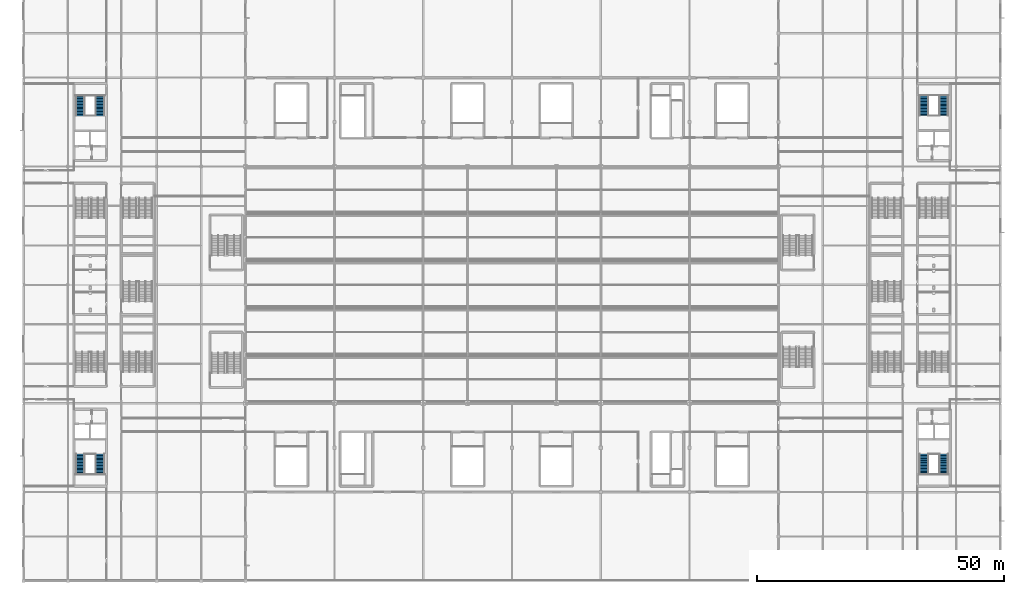
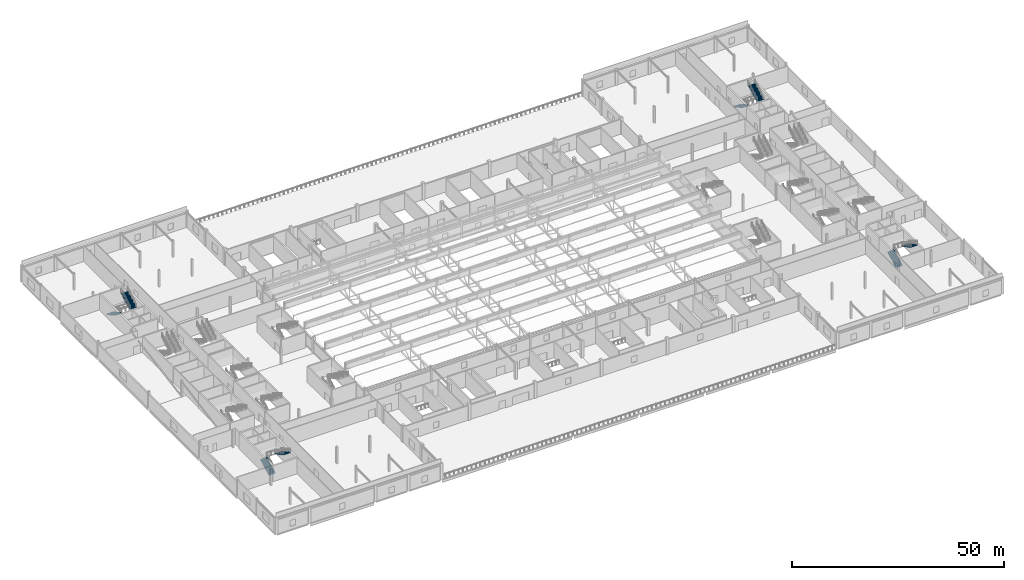
# One storey, part 109 of 136: 8 stair flights, 4 elements without a shape of their own.
"""IFC4 building model written with IfcOpenShell, lengths in metres."""

from ifc_helpers import new_model, si_unit, direction, frame, origin, place, context, subcontext, project, spatial, polyline, outline, extrude, material, type_object, element, aggregate, save


model = new_model("IFC4")

# Units and contexts
model_context = context("Model", 3, precision=1e-05, world=origin(), true_north=direction((0.0, 1.0)))
body_context = subcontext(model_context, "Body", "Model", "MODEL_VIEW")
ifc_project = project(units=[si_unit("LENGTHUNIT", "METRE"), si_unit("AREAUNIT", "SQUARE_METRE"), si_unit("VOLUMEUNIT", "CUBIC_METRE"), si_unit("PLANEANGLEUNIT", "RADIAN"), si_unit("MASSUNIT", "GRAM", prefix="KILO")], contexts=[model_context])

# Site, building, storey
site_placement = place(None, origin())
site = spatial("IfcSite", under=ifc_project, at=site_placement, CompositionType="ELEMENT")
building_placement = place(site_placement, origin())
building = spatial("IfcBuilding", under=site, at=building_placement, Name="Kisiwana Market Hall", CompositionType="ELEMENT")
storey_placement = place(building_placement, frame((0.0, 0.0, 16.800048828125)))
storey = spatial("IfcBuildingStorey", under=building, at=storey_placement, Name="L03", CompositionType="ELEMENT", Elevation=16.800048828125)

# Stair, stair flights
ifc_material_1 = material(Name="Concrete C32/40", Category="concrete")
stair_type = type_object("IfcStairType", Name="ST-POD-4800", PredefinedType="TWO_STRAIGHT_RUN_STAIR", material=ifc_material_1)
stair_1_placement = place(storey_placement, origin())
stair_1 = element("IfcStair", 1, at=stair_1_placement, inside=storey, type_object=stair_type, Name="Escape stair ST-W2-L03", PredefinedType="TWO_STRAIGHT_RUN_STAIR")
ifc_material_2 = material(Name="Concrete C32/40", Category="concrete")
stair_flight_type = type_object("IfcStairFlightType", Name="SF-POD-4800", PredefinedType="STRAIGHT", material=ifc_material_2)
stair_flight_1_placement = place(storey_placement, frame((11.5, 21.674560546875, 0.0), z_axis=(0.0, 0.0, 1.0), x_axis=(0.0, 1.0, 0.0)))
stair_flight_1 = element("IfcStairFlight", 2, at=stair_flight_1_placement, type_object=stair_flight_type, Name="ST-W2-L03 flight 1", NumberOfRisers=15, NumberOfTreads=14, PredefinedType="STRAIGHT", RiserHeight=0.16, TreadLength=0.29, context=body_context, shape_type="SweptSolid", body=[
    extrude(outline(polyline([(0.0, 0.0), (0.0, 0.159912109375), (0.2900390625, 0.159912109375), (0.2900390625, 0.320068359375), (0.580078125, 0.320068359375), (0.580078125, 0.47998046875), (0.8701171875, 0.47998046875), (0.8701171875, 0.639892578125), (1.159912109375, 0.639892578125), (1.159912109375, 0.800048828125), (1.449951171875, 0.800048828125), (1.449951171875, 0.9599609375), (1.739990234375, 0.9599609375), (1.739990234375, 1.1201171875), (2.030029296875, 1.1201171875), (2.030029296875, 1.280029296875), (2.320068359375, 1.280029296875), (2.320068359375, 1.43994140625), (2.610107421875, 1.43994140625), (2.610107421875, 1.60009765625), (2.89990234375, 1.60009765625), (2.89990234375, 1.760009765625), (3.18994140625, 1.760009765625), (3.18994140625, 1.919921875), (3.47998046875, 1.919921875), (3.47998046875, 2.080078125), (3.77001953125, 2.080078125), (3.77001953125, 2.239990234375), (4.06005859375, 2.239990234375), (4.06005859375, 2.39990234375), (4.06005859375, 2.034423828125), (0.37255859375, 0.0), (0.0, 0.0)])), frame((0.0, 0.925048828125, 0.0), z_axis=(0.0, -1.0, 0.0), x_axis=(1.0, 0.0, 0.0)), (0.0, 0.0, 1.0), 1.85009765625),
])
stair_flight_2_placement = place(storey_placement, frame((15.5, 25.734619140625, 2.39990234375), z_axis=(0.0, 0.0, 1.0), x_axis=(0.0, -1.0, 0.0)))
stair_flight_2 = element("IfcStairFlight", 3, at=stair_flight_2_placement, type_object=stair_flight_type, Name="ST-W2-L03 flight 2", NumberOfRisers=15, NumberOfTreads=14, PredefinedType="STRAIGHT", RiserHeight=0.16, TreadLength=0.29, context=body_context, shape_type="SweptSolid", body=[
    extrude(outline(polyline([(0.0, 0.0), (0.0, 0.159912109375), (0.2900390625, 0.159912109375), (0.2900390625, 0.320068359375), (0.580078125, 0.320068359375), (0.580078125, 0.47998046875), (0.8701171875, 0.47998046875), (0.8701171875, 0.639892578125), (1.159912109375, 0.639892578125), (1.159912109375, 0.800048828125), (1.449951171875, 0.800048828125), (1.449951171875, 0.9599609375), (1.739990234375, 0.9599609375), (1.739990234375, 1.1201171875), (2.030029296875, 1.1201171875), (2.030029296875, 1.280029296875), (2.320068359375, 1.280029296875), (2.320068359375, 1.43994140625), (2.610107421875, 1.43994140625), (2.610107421875, 1.60009765625), (2.89990234375, 1.60009765625), (2.89990234375, 1.760009765625), (3.18994140625, 1.760009765625), (3.18994140625, 1.919921875), (3.47998046875, 1.919921875), (3.47998046875, 2.080078125), (3.77001953125, 2.080078125), (3.77001953125, 2.239990234375), (4.06005859375, 2.239990234375), (4.06005859375, 2.39990234375), (4.06005859375, 2.034423828125), (0.37255859375, 0.0), (0.0, 0.0)])), frame((0.0, 0.925048828125, 0.0), z_axis=(0.0, -1.0, 0.0), x_axis=(1.0, 0.0, 0.0)), (0.0, 0.0, 1.0), 1.85009765625),
])
aggregate(stair_1, [stair_flight_1, stair_flight_2])

stair_2_placement = place(storey_placement, origin())
stair_2 = element("IfcStair", 4, at=stair_2_placement, inside=storey, type_object=stair_type, Name="Escape stair ST-W1-L03", PredefinedType="TWO_STRAIGHT_RUN_STAIR")
stair_flight_3_placement = place(storey_placement, frame((11.5, 98.325439453125, 0.0), z_axis=(0.0, 0.0, 1.0), x_axis=(0.0, -1.0, 0.0)))
stair_flight_3 = element("IfcStairFlight", 5, at=stair_flight_3_placement, type_object=stair_flight_type, Name="ST-W1-L03 flight 1", NumberOfRisers=15, NumberOfTreads=14, PredefinedType="STRAIGHT", RiserHeight=0.16, TreadLength=0.29, context=body_context, shape_type="SweptSolid", body=[
    extrude(outline(polyline([(0.0, 0.0), (0.0, 0.159912109375), (0.2900390625, 0.159912109375), (0.2900390625, 0.320068359375), (0.580078125, 0.320068359375), (0.580078125, 0.47998046875), (0.8701171875, 0.47998046875), (0.8701171875, 0.639892578125), (1.159912109375, 0.639892578125), (1.159912109375, 0.800048828125), (1.449951171875, 0.800048828125), (1.449951171875, 0.9599609375), (1.739990234375, 0.9599609375), (1.739990234375, 1.1201171875), (2.030029296875, 1.1201171875), (2.030029296875, 1.280029296875), (2.320068359375, 1.280029296875), (2.320068359375, 1.43994140625), (2.610107421875, 1.43994140625), (2.610107421875, 1.60009765625), (2.89990234375, 1.60009765625), (2.89990234375, 1.760009765625), (3.18994140625, 1.760009765625), (3.18994140625, 1.919921875), (3.47998046875, 1.919921875), (3.47998046875, 2.080078125), (3.77001953125, 2.080078125), (3.77001953125, 2.239990234375), (4.06005859375, 2.239990234375), (4.06005859375, 2.39990234375), (4.06005859375, 2.034423828125), (0.37255859375, 0.0), (0.0, 0.0)])), frame((0.0, 0.925048828125, 0.0), z_axis=(0.0, -1.0, 0.0), x_axis=(1.0, 0.0, 0.0)), (0.0, 0.0, 1.0), 1.85009765625),
])
stair_flight_4_placement = place(storey_placement, frame((15.5, 94.265380859375, 2.39990234375), z_axis=(0.0, 0.0, 1.0), x_axis=(0.0, 1.0, 0.0)))
stair_flight_4 = element("IfcStairFlight", 6, at=stair_flight_4_placement, type_object=stair_flight_type, Name="ST-W1-L03 flight 2", NumberOfRisers=15, NumberOfTreads=14, PredefinedType="STRAIGHT", RiserHeight=0.16, TreadLength=0.29, context=body_context, shape_type="SweptSolid", body=[
    extrude(outline(polyline([(0.0, 0.0), (0.0, 0.159912109375), (0.2900390625, 0.159912109375), (0.2900390625, 0.320068359375), (0.580078125, 0.320068359375), (0.580078125, 0.47998046875), (0.8701171875, 0.47998046875), (0.8701171875, 0.639892578125), (1.159912109375, 0.639892578125), (1.159912109375, 0.800048828125), (1.449951171875, 0.800048828125), (1.449951171875, 0.9599609375), (1.739990234375, 0.9599609375), (1.739990234375, 1.1201171875), (2.030029296875, 1.1201171875), (2.030029296875, 1.280029296875), (2.320068359375, 1.280029296875), (2.320068359375, 1.43994140625), (2.610107421875, 1.43994140625), (2.610107421875, 1.60009765625), (2.89990234375, 1.60009765625), (2.89990234375, 1.760009765625), (3.18994140625, 1.760009765625), (3.18994140625, 1.919921875), (3.47998046875, 1.919921875), (3.47998046875, 2.080078125), (3.77001953125, 2.080078125), (3.77001953125, 2.239990234375), (4.06005859375, 2.239990234375), (4.06005859375, 2.39990234375), (4.06005859375, 2.034423828125), (0.37255859375, 0.0), (0.0, 0.0)])), frame((0.0, 0.925048828125, 0.0), z_axis=(0.0, -1.0, 0.0), x_axis=(1.0, 0.0, 0.0)), (0.0, 0.0, 1.0), 1.85009765625),
])
aggregate(stair_2, [stair_flight_3, stair_flight_4])

stair_3_placement = place(storey_placement, origin())
stair_3 = element("IfcStair", 7, at=stair_3_placement, inside=storey, type_object=stair_type, Name="Escape stair ST-E2-L03", PredefinedType="TWO_STRAIGHT_RUN_STAIR")
stair_flight_5_placement = place(storey_placement, frame((182.47509765625, 21.6494140625, 0.0), z_axis=(0.0, 0.0, 1.0), x_axis=(0.0, 1.0, 0.0)))
stair_flight_5 = element("IfcStairFlight", 8, at=stair_flight_5_placement, type_object=stair_flight_type, Name="ST-E2-L03 flight 1", NumberOfRisers=15, NumberOfTreads=14, PredefinedType="STRAIGHT", RiserHeight=0.16, TreadLength=0.29, context=body_context, shape_type="SweptSolid", body=[
    extrude(outline(polyline([(0.0, 0.0), (0.0, 0.159912109375), (0.2900390625, 0.159912109375), (0.2900390625, 0.320068359375), (0.580078125, 0.320068359375), (0.580078125, 0.47998046875), (0.8701171875, 0.47998046875), (0.8701171875, 0.639892578125), (1.159912109375, 0.639892578125), (1.159912109375, 0.800048828125), (1.449951171875, 0.800048828125), (1.449951171875, 0.9599609375), (1.739990234375, 0.9599609375), (1.739990234375, 1.1201171875), (2.030029296875, 1.1201171875), (2.030029296875, 1.280029296875), (2.320068359375, 1.280029296875), (2.320068359375, 1.43994140625), (2.610107421875, 1.43994140625), (2.610107421875, 1.60009765625), (2.89990234375, 1.60009765625), (2.89990234375, 1.760009765625), (3.18994140625, 1.760009765625), (3.18994140625, 1.919921875), (3.47998046875, 1.919921875), (3.47998046875, 2.080078125), (3.77001953125, 2.080078125), (3.77001953125, 2.239990234375), (4.06005859375, 2.239990234375), (4.06005859375, 2.39990234375), (4.06005859375, 2.034423828125), (0.37255859375, 0.0), (0.0, 0.0)])), frame((0.0, 0.925048828125, 0.0), z_axis=(0.0, -1.0, 0.0), x_axis=(1.0, 0.0, 0.0)), (0.0, 0.0, 1.0), 1.85009765625),
])
stair_flight_6_placement = place(storey_placement, frame((186.52490234375, 25.70947265625, 2.39990234375), z_axis=(0.0, 0.0, 1.0), x_axis=(0.0, -1.0, 0.0)))
stair_flight_6 = element("IfcStairFlight", 9, at=stair_flight_6_placement, type_object=stair_flight_type, Name="ST-E2-L03 flight 2", NumberOfRisers=15, NumberOfTreads=14, PredefinedType="STRAIGHT", RiserHeight=0.16, TreadLength=0.29, context=body_context, shape_type="SweptSolid", body=[
    extrude(outline(polyline([(0.0, 0.0), (0.0, 0.159912109375), (0.2900390625, 0.159912109375), (0.2900390625, 0.320068359375), (0.580078125, 0.320068359375), (0.580078125, 0.47998046875), (0.8701171875, 0.47998046875), (0.8701171875, 0.639892578125), (1.159912109375, 0.639892578125), (1.159912109375, 0.800048828125), (1.449951171875, 0.800048828125), (1.449951171875, 0.9599609375), (1.739990234375, 0.9599609375), (1.739990234375, 1.1201171875), (2.030029296875, 1.1201171875), (2.030029296875, 1.280029296875), (2.320068359375, 1.280029296875), (2.320068359375, 1.43994140625), (2.610107421875, 1.43994140625), (2.610107421875, 1.60009765625), (2.89990234375, 1.60009765625), (2.89990234375, 1.760009765625), (3.18994140625, 1.760009765625), (3.18994140625, 1.919921875), (3.47998046875, 1.919921875), (3.47998046875, 2.080078125), (3.77001953125, 2.080078125), (3.77001953125, 2.239990234375), (4.06005859375, 2.239990234375), (4.06005859375, 2.39990234375), (4.06005859375, 2.034423828125), (0.37255859375, 0.0), (0.0, 0.0)])), frame((0.0, 0.925048828125, 0.0), z_axis=(0.0, -1.0, 0.0), x_axis=(1.0, 0.0, 0.0)), (0.0, 0.0, 1.0), 1.85009765625),
])
aggregate(stair_3, [stair_flight_5, stair_flight_6])

stair_4_placement = place(storey_placement, origin())
stair_4 = element("IfcStair", 10, at=stair_4_placement, inside=storey, type_object=stair_type, Name="Escape stair ST-E1-L03", PredefinedType="TWO_STRAIGHT_RUN_STAIR")
stair_flight_7_placement = place(storey_placement, frame((182.47509765625, 98.3505859375, 0.0), z_axis=(0.0, 0.0, 1.0), x_axis=(0.0, -1.0, 0.0)))
stair_flight_7 = element("IfcStairFlight", 11, at=stair_flight_7_placement, type_object=stair_flight_type, Name="ST-E1-L03 flight 1", NumberOfRisers=15, NumberOfTreads=14, PredefinedType="STRAIGHT", RiserHeight=0.16, TreadLength=0.29, context=body_context, shape_type="SweptSolid", body=[
    extrude(outline(polyline([(0.0, 0.0), (0.0, 0.159912109375), (0.2900390625, 0.159912109375), (0.2900390625, 0.320068359375), (0.580078125, 0.320068359375), (0.580078125, 0.47998046875), (0.8701171875, 0.47998046875), (0.8701171875, 0.639892578125), (1.159912109375, 0.639892578125), (1.159912109375, 0.800048828125), (1.449951171875, 0.800048828125), (1.449951171875, 0.9599609375), (1.739990234375, 0.9599609375), (1.739990234375, 1.1201171875), (2.030029296875, 1.1201171875), (2.030029296875, 1.280029296875), (2.320068359375, 1.280029296875), (2.320068359375, 1.43994140625), (2.610107421875, 1.43994140625), (2.610107421875, 1.60009765625), (2.89990234375, 1.60009765625), (2.89990234375, 1.760009765625), (3.18994140625, 1.760009765625), (3.18994140625, 1.919921875), (3.47998046875, 1.919921875), (3.47998046875, 2.080078125), (3.77001953125, 2.080078125), (3.77001953125, 2.239990234375), (4.06005859375, 2.239990234375), (4.06005859375, 2.39990234375), (4.06005859375, 2.034423828125), (0.37255859375, 0.0), (0.0, 0.0)])), frame((0.0, 0.925048828125, 0.0), z_axis=(0.0, -1.0, 0.0), x_axis=(1.0, 0.0, 0.0)), (0.0, 0.0, 1.0), 1.85009765625),
])
stair_flight_8_placement = place(storey_placement, frame((186.52490234375, 94.29052734375, 2.39990234375), z_axis=(0.0, 0.0, 1.0), x_axis=(0.0, 1.0, 0.0)))
stair_flight_8 = element("IfcStairFlight", 12, at=stair_flight_8_placement, type_object=stair_flight_type, Name="ST-E1-L03 flight 2", NumberOfRisers=15, NumberOfTreads=14, PredefinedType="STRAIGHT", RiserHeight=0.16, TreadLength=0.29, context=body_context, shape_type="SweptSolid", body=[
    extrude(outline(polyline([(0.0, 0.0), (0.0, 0.159912109375), (0.2900390625, 0.159912109375), (0.2900390625, 0.320068359375), (0.580078125, 0.320068359375), (0.580078125, 0.47998046875), (0.8701171875, 0.47998046875), (0.8701171875, 0.639892578125), (1.159912109375, 0.639892578125), (1.159912109375, 0.800048828125), (1.449951171875, 0.800048828125), (1.449951171875, 0.9599609375), (1.739990234375, 0.9599609375), (1.739990234375, 1.1201171875), (2.030029296875, 1.1201171875), (2.030029296875, 1.280029296875), (2.320068359375, 1.280029296875), (2.320068359375, 1.43994140625), (2.610107421875, 1.43994140625), (2.610107421875, 1.60009765625), (2.89990234375, 1.60009765625), (2.89990234375, 1.760009765625), (3.18994140625, 1.760009765625), (3.18994140625, 1.919921875), (3.47998046875, 1.919921875), (3.47998046875, 2.080078125), (3.77001953125, 2.080078125), (3.77001953125, 2.239990234375), (4.06005859375, 2.239990234375), (4.06005859375, 2.39990234375), (4.06005859375, 2.034423828125), (0.37255859375, 0.0), (0.0, 0.0)])), frame((0.0, 0.925048828125, 0.0), z_axis=(0.0, -1.0, 0.0), x_axis=(1.0, 0.0, 0.0)), (0.0, 0.0, 1.0), 1.85009765625),
])
aggregate(stair_4, [stair_flight_7, stair_flight_8])

save(model, "model.ifc")
